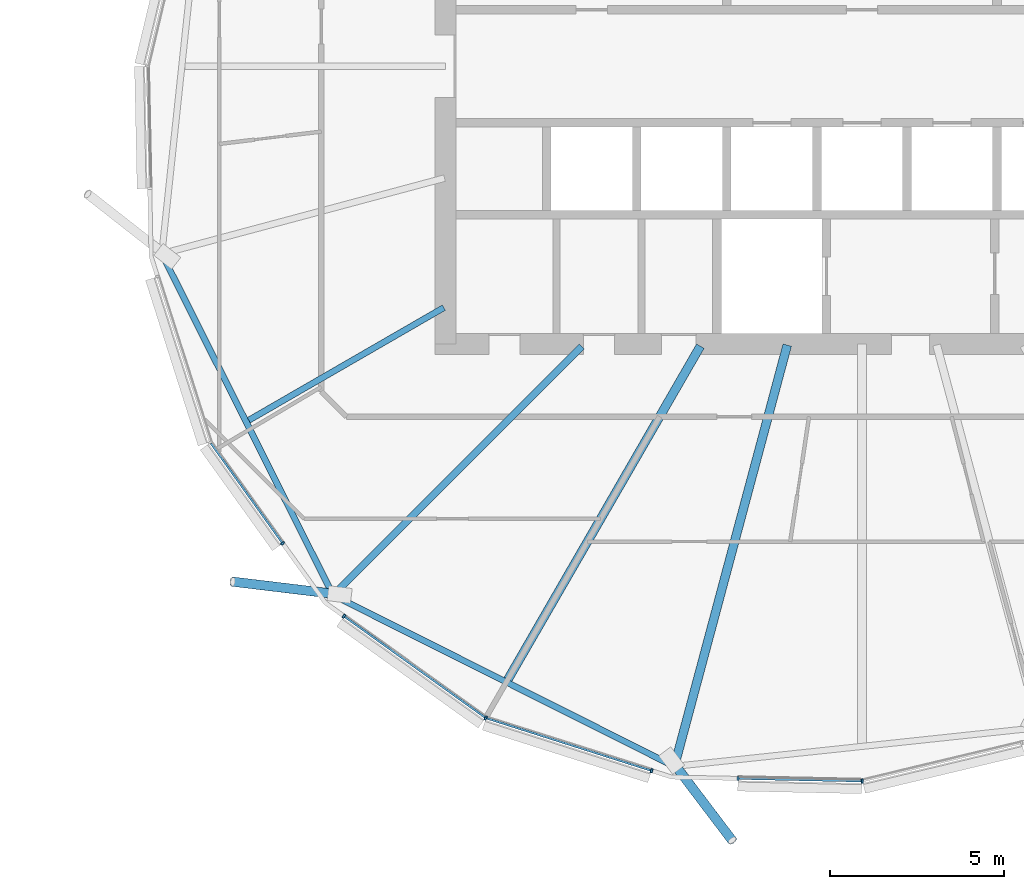
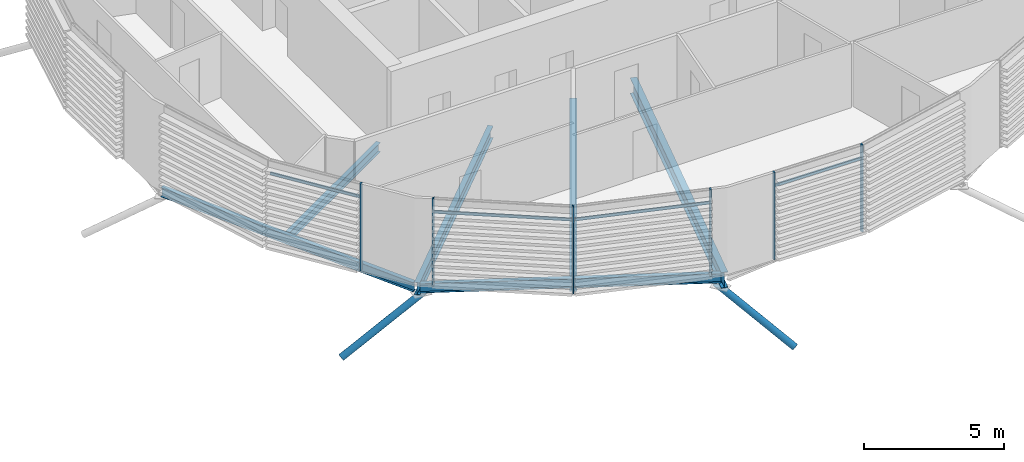
# One storey, part 12 of 36: 12 members, 6 beams, 1 element without a shape of its own.
"""IFC4 building model written with IfcOpenShell, lengths in metres."""

from ifc_helpers import new_model, si_unit, direction, frame, origin, origin_2d, place, context, subcontext, project, spatial, rectangle, hollow_circle, i_section, extrude, clip, halfspace, material, material_profile, profile_set, type_object, element, aggregate, save


model = new_model("IFC4")

# Units and contexts
model_context = context("Model", 3, precision=1e-05, world=origin(), true_north=direction((0.0, 1.0)))
body_context = subcontext(model_context, "Body", "Model", "MODEL_VIEW")
ifc_project = project(units=[si_unit("LENGTHUNIT", "METRE"), si_unit("AREAUNIT", "SQUARE_METRE"), si_unit("VOLUMEUNIT", "CUBIC_METRE"), si_unit("PLANEANGLEUNIT", "RADIAN"), si_unit("MASSUNIT", "GRAM", prefix="KILO")], contexts=[model_context])

# Site, building, storey
site_placement = place(None, origin())
site = spatial("IfcSite", under=ifc_project, at=site_placement, CompositionType="ELEMENT")
building_placement = place(site_placement, origin())
building = spatial("IfcBuilding", under=site, at=building_placement, Name="Rimbun Link Towers", CompositionType="ELEMENT")
storey_placement = place(building_placement, frame((0.0, 0.0, 189.300048828125)))
storey = spatial("IfcBuildingStorey", under=building, at=storey_placement, Name="L46", CompositionType="ELEMENT", Elevation=189.300048828125)

# Curtain wall, members
ifc_material_1 = material(Name="Aluminium 6063-T6 and low-iron glass", Category="aluminium")
curtain_wall_type = type_object("IfcCurtainWallType", Name="CW1-Z3 unitised vision wall (zone 3)", PredefinedType="NOTDEFINED", material=ifc_material_1)
curtain_wall_placement = place(storey_placement, origin())
curtain_wall = element("IfcCurtainWall", 1, at=curtain_wall_placement, inside=storey, type_object=curtain_wall_type, Name="CW1 L46 T2", PredefinedType="NOTDEFINED")
ifc_material_2 = material(Name="Aluminium 6063-T6", Category="aluminium")
ifc_material_profile_1 = material_profile(ifc_material_2, rectangle(XDim=0.1201171875, YDim=0.06005859375, at=origin_2d()), Name="MULLION 60X120")
ifc_profile_set_1 = profile_set([ifc_material_profile_1], Name="Aluminium 6063-T6")
member_type_1 = type_object("IfcMemberType", Name="CW1 mullion 60X120", PredefinedType="MULLION", material=ifc_profile_set_1)
member_1_placement = place(storey_placement, frame((15.061279296875, -13.744384765625, 0.0), z_axis=(0.0, 0.0, 1.0), x_axis=(-0.81246124987, -0.583015194879, 0.0)))
member_1 = element("IfcMember", 2, at=member_1_placement, type_object=member_type_1, Name="CW1 mullion", PredefinedType="MULLION", context=body_context, shape_type="SweptSolid", body=[
    extrude(rectangle(XDim=0.1201171875, YDim=0.06005859375, at=origin_2d()), origin(), (0.0, 0.0, 1.0), 3.800048828125),
])
member_2_placement = place(storey_placement, frame((20.914306640625, -18.775146484375, 0.0), z_axis=(0.0, 0.0, 1.0), x_axis=(-0.448570265211, -0.893747569042, 0.0)))
member_2 = element("IfcMember", 3, at=member_2_placement, type_object=member_type_1, Name="CW1 mullion", PredefinedType="MULLION", context=body_context, shape_type="SweptSolid", body=[
    extrude(rectangle(XDim=0.1201171875, YDim=0.06005859375, at=origin_2d()), origin(), (0.0, 0.0, 1.0), 3.800048828125),
])
member_3_placement = place(storey_placement, frame((16.82763671875, -15.84326171875, 0.0), z_axis=(0.0, 0.0, 1.0), x_axis=(-0.583015194879, -0.81246124987, 0.0)))
member_3 = element("IfcMember", 4, at=member_3_placement, type_object=member_type_1, Name="CW1 mullion", PredefinedType="MULLION", context=body_context, shape_type="SweptSolid", body=[
    extrude(rectangle(XDim=0.1201171875, YDim=0.06005859375, at=origin_2d()), origin(), (0.0, 0.0, 1.0), 3.800048828125),
])
member_4_placement = place(storey_placement, frame((25.688720703125, -20.294189453125, 0.0), z_axis=(0.0, 0.0, 1.0), x_axis=(-0.303053318374, -0.95297360206, 0.0)))
member_4 = element("IfcMember", 5, at=member_4_placement, type_object=member_type_1, Name="CW1 mullion", PredefinedType="MULLION", context=body_context, shape_type="SweptSolid", body=[
    extrude(rectangle(XDim=0.1201171875, YDim=0.06005859375, at=origin_2d()), origin(), (0.0, 0.0, 1.0), 3.800048828125),
])
member_5_placement = place(storey_placement, frame((31.75634765625, -20.59375, 0.0), z_axis=(0.0, 0.0, 1.0), x_axis=(0.10663447407, -0.99429828972, 0.0)))
member_5 = element("IfcMember", 6, at=member_5_placement, type_object=member_type_1, Name="CW1 mullion", PredefinedType="MULLION", context=body_context, shape_type="SweptSolid", body=[
    extrude(rectangle(XDim=0.1201171875, YDim=0.06005859375, at=origin_2d()), origin(), (0.0, 0.0, 1.0), 3.800048828125),
])
member_6_placement = place(storey_placement, frame((28.177001953125, -20.518798828125, 0.0), z_axis=(0.0, 0.0, 1.0), x_axis=(-0.02106930936, -0.999778017463, 0.0)))
member_6 = element("IfcMember", 7, at=member_6_placement, type_object=member_type_1, Name="CW1 mullion", PredefinedType="MULLION", context=body_context, shape_type="SweptSolid", body=[
    extrude(rectangle(XDim=0.1201171875, YDim=0.06005859375, at=origin_2d()), origin(), (0.0, 0.0, 1.0), 3.800048828125),
])
ifc_material_3 = material(Name="Aluminium 6063-T6", Category="aluminium")
ifc_material_profile_2 = material_profile(ifc_material_3, rectangle(XDim=0.06005859375, YDim=0.1201171875, at=origin_2d()), Name="TRANSOM 60X120")
ifc_profile_set_2 = profile_set([ifc_material_profile_2], Name="Aluminium 6063-T6")
member_type_2 = type_object("IfcMemberType", Name="CW1 transom 60X120", PredefinedType="USERDEFINED", material=ifc_profile_set_2)
member_7_placement = place(storey_placement, frame((15.04541015625, -13.718994140625, 3.199951171875), z_axis=(-0.582973756796, 0.812490983881, 0.0), x_axis=(-0.812490983881, -0.582973756796, 0.0)))
member_7 = element("IfcMember", 8, at=member_7_placement, type_object=member_type_2, Name="CW1 transom", ObjectType="TRANSOM", PredefinedType="USERDEFINED", context=body_context, shape_type="SweptSolid", body=[
    extrude(rectangle(XDim=0.06005859375, YDim=0.1201171875, at=origin_2d()), origin(), (0.0, 0.0, 1.0), 3.51025390625),
])
member_8_placement = place(storey_placement, frame((20.883056640625, -18.7509765625, 3.199951171875), z_axis=(-0.812467801555, 0.583006064665, 0.0), x_axis=(-0.583006064665, -0.812467801555, 0.0)))
member_8 = element("IfcMember", 9, at=member_8_placement, type_object=member_type_2, Name="CW1 transom", ObjectType="TRANSOM", PredefinedType="USERDEFINED", context=body_context, shape_type="SweptSolid", body=[
    extrude(rectangle(XDim=0.06005859375, YDim=0.1201171875, at=origin_2d()), origin(), (0.0, 0.0, 1.0), 4.960205078125),
])
member_9_placement = place(storey_placement, frame((25.660888671875, -20.283203125, 3.199951171875), z_axis=(-0.952965355293, 0.303079249721, 0.0), x_axis=(-0.303079249721, -0.952965355293, 0.0)))
member_9 = element("IfcMember", 10, at=member_9_placement, type_object=member_type_2, Name="CW1 transom", ObjectType="TRANSOM", PredefinedType="USERDEFINED", context=body_context, shape_type="SweptSolid", body=[
    extrude(rectangle(XDim=0.06005859375, YDim=0.1201171875, at=origin_2d()), origin(), (0.0, 0.0, 1.0), 4.941162109375),
])
member_10_placement = place(storey_placement, frame((31.71875, -20.591552734375, 3.199951171875), z_axis=(-0.999776739259, 0.021129875468, 0.0), x_axis=(-0.021129875468, -0.999776739259, 0.0)))
member_10 = element("IfcMember", 11, at=member_10_placement, type_object=member_type_2, Name="CW1 transom", ObjectType="TRANSOM", PredefinedType="USERDEFINED", context=body_context, shape_type="SweptSolid", body=[
    extrude(rectangle(XDim=0.06005859375, YDim=0.1201171875, at=origin_2d()), origin(), (0.0, 0.0, 1.0), 3.512451171875),
])
aggregate(curtain_wall, [member_1, member_2, member_3, member_4, member_5, member_6, member_7, member_8, member_9, member_10])

# Members
ifc_material_4 = material(Name="Steel S355J2H", Category="steel")
ifc_material_profile_3 = material_profile(ifc_material_4, hollow_circle(Radius=0.136474609375, WallThickness=0.012451171875, at=origin_2d()), Name="CHS 273x12.5")
ifc_profile_set_3 = profile_set([ifc_material_profile_3], Name="Steel S355J2H")
member_type_3 = type_object("IfcMemberType", Name="Floor edge link CHS 273x12.5", PredefinedType="BRACE", material=ifc_profile_set_3)
member_11_placement = place(storey_placement, frame((16.548828125, -15.201171875, -0.79931640625), z_axis=(-0.843626553527, 0.101683998555, -0.527214000783), x_axis=(-0.119665886871, -0.992814220043, 0.0)))
element("IfcMember", 12, at=member_11_placement, inside=storey, type_object=member_type_3, Name="Floor edge link T2 L46 12", PredefinedType="BRACE", context=body_context, shape_type="Clipping", body=[
    clip(extrude(hollow_circle(Radius=0.136474609375, WallThickness=0.012451171875, at=origin_2d()), frame((0.0, 0.0, -0.458984375)), (0.0, 0.0, 1.0), 3.9404296875), halfspace(frame((0.0, 0.0, -0.216552734375), z_axis=(0.0, 0.849732544615, -0.527214000783)), False)),
])
member_12_placement = place(storey_placement, frame((26.3583984375, -20.121826171875, -0.94873046875), z_axis=(0.50901778214, -0.67185256316, -0.538066009743), x_axis=(0.79707012401, 0.603886758764, 0.0)))
element("IfcMember", 13, at=member_12_placement, inside=storey, type_object=member_type_3, Name="Floor edge link T2 L46 14", PredefinedType="BRACE", context=body_context, shape_type="Clipping", body=[
    clip(extrude(hollow_circle(Radius=0.136474609375, WallThickness=0.012451171875, at=origin_2d()), frame((0.0, 0.0, -0.4462890625)), (0.0, 0.0, 1.0), 3.707275390625), halfspace(frame((0.0, 0.0, -0.21044921875), z_axis=(0.0, 0.842902704444, -0.538066009743)), False)),
])

# Beams
ifc_material_5 = material(Name="Steel S355J2", Category="steel")
ifc_material_profile_4 = material_profile(ifc_material_5, i_section(OverallWidth=0.177978515625, OverallDepth=0.406494140625, WebThickness=0.0078125, FlangeThickness=0.0126953125, at=origin_2d()), Name="UB 406x178x60")
ifc_profile_set_4 = profile_set([ifc_material_profile_4], Name="Steel S355J2")
beam_type_1 = type_object("IfcBeamType", Name="UB 406x178x60", PredefinedType="BEAM", material=ifc_profile_set_4)
beam_1_placement = place(storey_placement, frame((19.70458984375, -6.954345703125, -0.353271484375), z_axis=(-0.866027670257, -0.499996074333, 0.0), x_axis=(0.499996074333, -0.866027670257, 0.0)))
element("IfcBeam", 14, at=beam_1_placement, inside=storey, type_object=beam_type_1, Name="Radial beam T2 L46 11", PredefinedType="BEAM", context=body_context, shape_type="SweptSolid", body=[
    extrude(i_section(OverallWidth=0.177978515625, OverallDepth=0.406494140625, WebThickness=0.0078125, FlangeThickness=0.0126953125, at=origin_2d()), origin(), (0.0, 0.0, 1.0), 6.48779296875),
])
beam_2_placement = place(storey_placement, frame((11.623779296875, -5.4921875, -0.353271484375), z_axis=(0.448507246366, -0.893779195303, 0.0), x_axis=(0.893779195303, 0.448507246366, 0.0)))
element("IfcBeam", 15, at=beam_2_placement, inside=storey, type_object=beam_type_1, Name="Edge beam T2 L46 10-12", PredefinedType="BEAM", context=body_context, shape_type="SweptSolid", body=[
    extrude(i_section(OverallWidth=0.177978515625, OverallDepth=0.406494140625, WebThickness=0.0078125, FlangeThickness=0.0126953125, at=origin_2d()), origin(), (0.0, 0.0, 1.0), 10.791015625),
])
beam_3_placement = place(storey_placement, frame((16.613037109375, -15.286376953125, -0.353271484375), z_axis=(0.893781784444, -0.448502086725, 0.0), x_axis=(0.448502086725, 0.893781784444, 0.0)))
element("IfcBeam", 16, at=beam_3_placement, inside=storey, type_object=beam_type_1, Name="Edge beam T2 L46 12-14", PredefinedType="BEAM", context=body_context, shape_type="SweptSolid", body=[
    extrude(i_section(OverallWidth=0.177978515625, OverallDepth=0.406494140625, WebThickness=0.0078125, FlangeThickness=0.0126953125, at=origin_2d()), origin(), (0.0, 0.0, 1.0), 10.758544921875),
])
ifc_material_6 = material(Name="Steel S355J2", Category="steel")
ifc_material_profile_5 = material_profile(ifc_material_6, i_section(OverallWidth=0.209228515625, OverallDepth=0.533203125, WebThickness=0.010009765625, FlangeThickness=0.015625, at=origin_2d()), Name="UB 533x210x92")
ifc_profile_set_5 = profile_set([ifc_material_profile_5], Name="Steel S355J2")
beam_type_2 = type_object("IfcBeamType", Name="UB 533x210x92", PredefinedType="BEAM", material=ifc_profile_set_5)
beam_4_placement = place(storey_placement, frame((23.67529296875, -8.07470703125, -0.41650390625), z_axis=(-0.707106781187, -0.707106781187, 0.0), x_axis=(0.707106781187, -0.707106781187, 0.0)))
element("IfcBeam", 17, at=beam_4_placement, inside=storey, type_object=beam_type_2, Name="Radial beam T2 L46 12", PredefinedType="BEAM", context=body_context, shape_type="SweptSolid", body=[
    extrude(i_section(OverallWidth=0.209228515625, OverallDepth=0.533203125, WebThickness=0.010009765625, FlangeThickness=0.015625, at=origin_2d()), origin(), (0.0, 0.0, 1.0), 10.128173828125),
])
ifc_material_7 = material(Name="Steel S355J2", Category="steel")
ifc_material_profile_6 = material_profile(ifc_material_7, i_section(OverallWidth=0.253662109375, OverallDepth=0.68359375, WebThickness=0.012451171875, FlangeThickness=0.01904296875, at=origin_2d()), Name="UB 686x254x140")
ifc_profile_set_6 = profile_set([ifc_material_profile_6], Name="Steel S355J2")
beam_type_3 = type_object("IfcBeamType", Name="UB 686x254x140", PredefinedType="BEAM", material=ifc_profile_set_6)
beam_5_placement = place(storey_placement, frame((27.093994140625, -8.064208984375, -0.49169921875), z_axis=(-0.499983647618, -0.866034844631, 0.0), x_axis=(0.866034844631, -0.499983647618, 0.0)))
element("IfcBeam", 18, at=beam_5_placement, inside=storey, type_object=beam_type_3, Name="Radial beam T2 L46 13", PredefinedType="BEAM", context=body_context, shape_type="SweptSolid", body=[
    extrude(i_section(OverallWidth=0.253662109375, OverallDepth=0.68359375, WebThickness=0.012451171875, FlangeThickness=0.01904296875, at=origin_2d()), origin(), (0.0, 0.0, 1.0), 11.084716796875),
])
beam_6_placement = place(storey_placement, frame((29.597412109375, -8.03369140625, -0.49169921875), z_axis=(-0.258818640731, -0.96592593464, 0.0), x_axis=(0.96592593464, -0.258818640731, 0.0)))
element("IfcBeam", 19, at=beam_6_placement, inside=storey, type_object=beam_type_3, Name="Radial beam T2 L46 14", PredefinedType="BEAM", context=body_context, shape_type="SweptSolid", body=[
    extrude(i_section(OverallWidth=0.253662109375, OverallDepth=0.68359375, WebThickness=0.012451171875, FlangeThickness=0.01904296875, at=origin_2d()), origin(), (0.0, 0.0, 1.0), 12.564697265625),
])

save(model, "model.ifc")
